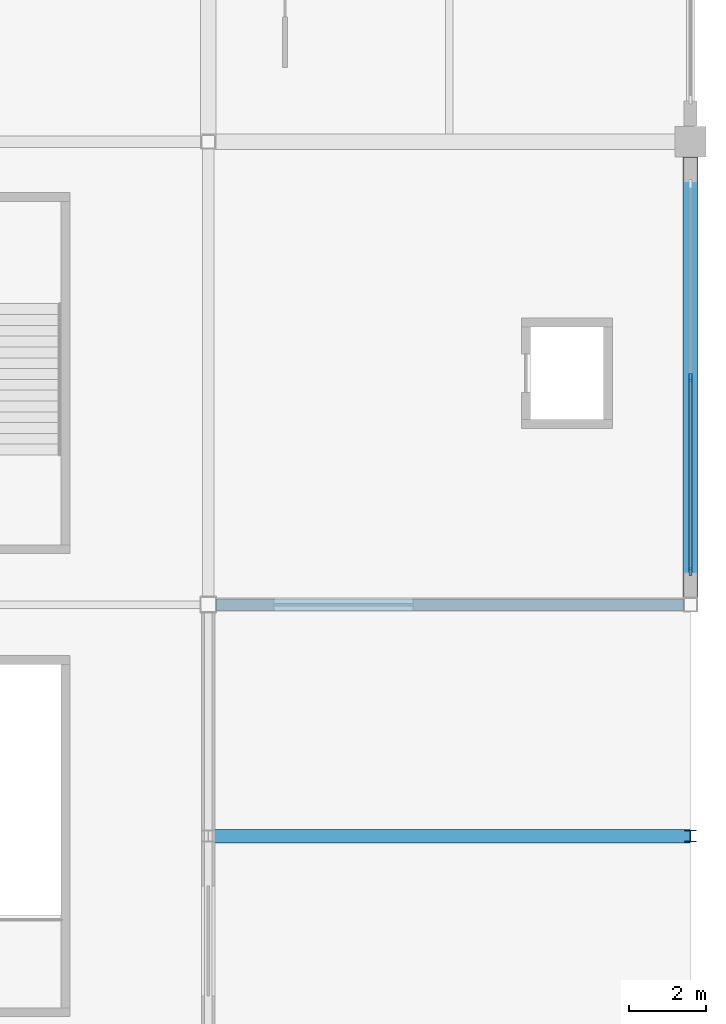
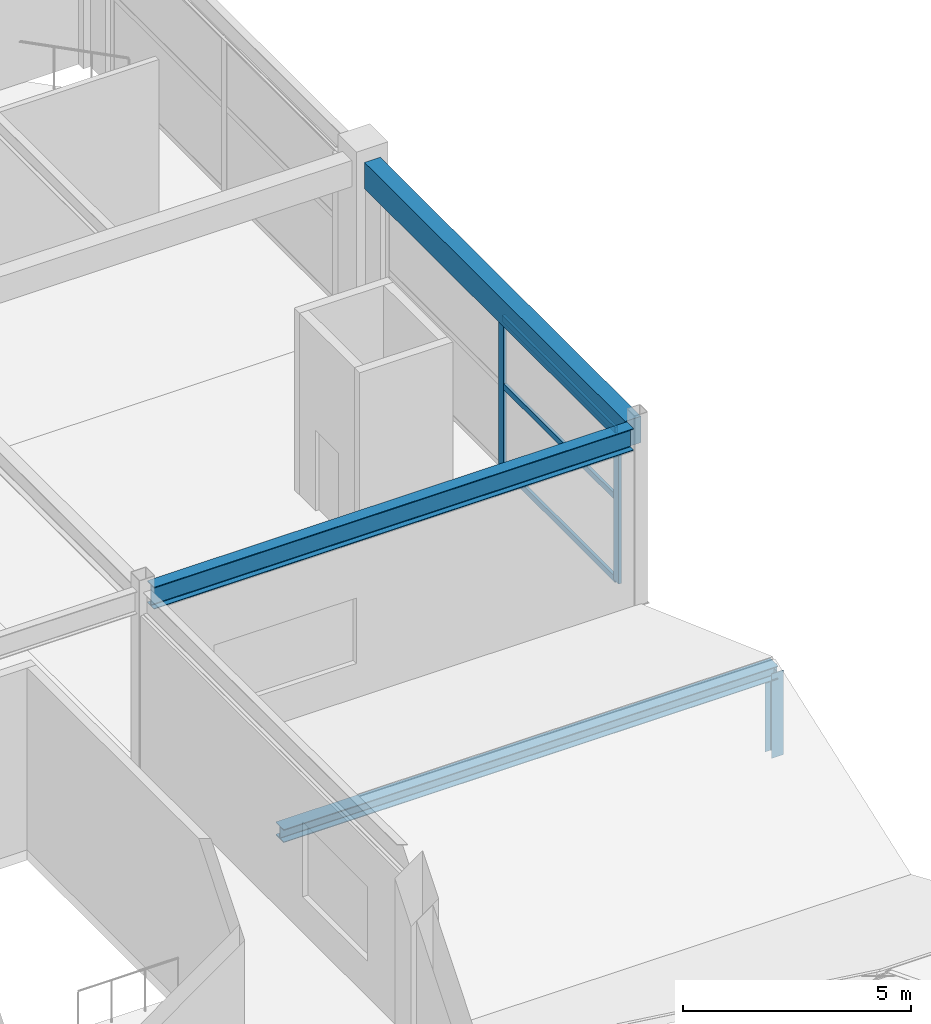
# One storey, part 61 of 128: 7 members, 2 beams, 1 element without a shape of its own.
"""IFC4 building model written with IfcOpenShell, lengths in metres."""

from ifc_helpers import new_model, si_unit, direction, frame, origin, origin_2d, place, context, subcontext, project, spatial, rectangle, i_section, extrude, material, layer, layer_set, material_profile, profile_set, type_object, element, aggregate, save


model = new_model("IFC4")

# Units and contexts
model_context = context("Model", 3, precision=1e-05, world=origin(), true_north=direction((0.0, 1.0)))
body_context = subcontext(model_context, "Body", "Model", "MODEL_VIEW")
ifc_project = project(units=[si_unit("LENGTHUNIT", "METRE"), si_unit("AREAUNIT", "SQUARE_METRE"), si_unit("VOLUMEUNIT", "CUBIC_METRE"), si_unit("PLANEANGLEUNIT", "RADIAN"), si_unit("MASSUNIT", "GRAM", prefix="KILO")], contexts=[model_context])

# Site, building, storey
site_placement = place(None, origin())
site = spatial("IfcSite", under=ifc_project, at=site_placement, CompositionType="ELEMENT")
building_placement = place(site_placement, origin())
building = spatial("IfcBuilding", under=site, at=building_placement, Name="Kazenohara Klinker Stadium", CompositionType="ELEMENT")
storey_placement = place(building_placement, frame((0.0, 0.0, 15.300048828125)))
storey = spatial("IfcBuildingStorey", under=building, at=storey_placement, Name="L03", CompositionType="ELEMENT", Elevation=15.300048828125)

# Beams
ifc_material_1 = material(Name="Concrete C40/50", Category="concrete")
ifc_material_profile_1 = material_profile(ifc_material_1, rectangle(XDim=0.39990234375, YDim=0.699951171875, at=origin_2d()), Name="RC-BM-400x700")
ifc_profile_set_1 = profile_set([ifc_material_profile_1], Name="Concrete C40/50")
beam_type_1 = type_object("IfcBeamType", Name="BM-RC04", PredefinedType="BEAM", material=ifc_profile_set_1)
beam_1_placement = place(storey_placement, frame((200.0, 132.175048828125, 4.409912109375), z_axis=(0.0, 1.0, 0.0), x_axis=(-1.0, 0.0, 0.0)))
element("IfcBeam", 1, at=beam_1_placement, inside=storey, type_object=beam_type_1, Name="Primary girder BG04 L03 17/M-N", PredefinedType="BEAM", context=body_context, shape_type="SweptSolid", body=[
    extrude(rectangle(XDim=0.39990234375, YDim=0.699951171875, at=origin_2d()), origin(), (0.0, 0.0, 1.0), 11.425048828125),
])
ifc_material_2 = material(Name="Steel S355", Category="steel")
ifc_material_profile_2 = material_profile(ifc_material_2, i_section(OverallWidth=0.300048828125, OverallDepth=0.587890625, WebThickness=0.011962890625, FlangeThickness=0.02001953125, FilletRadius=0.02197265625, at=origin_2d()), Name="H-588x300x12x20")
ifc_profile_set_2 = profile_set([ifc_material_profile_2], Name="Steel S355")
beam_type_2 = type_object("IfcBeamType", Name="BM-ST05", PredefinedType="BEAM", material=ifc_profile_set_2)
beam_2_placement = place(storey_placement, frame((187.699951171875, 132.0, 4.466064453125), z_axis=(1.0, 0.0, 0.0), x_axis=(0.0, 1.0, 0.0)))
element("IfcBeam", 2, at=beam_2_placement, inside=storey, type_object=beam_type_2, Name="Primary girder SB05 L03 16-17/M", PredefinedType="BEAM", context=body_context, shape_type="SweptSolid", body=[
    extrude(i_section(OverallWidth=0.300048828125, OverallDepth=0.587890625, WebThickness=0.011962890625, FlangeThickness=0.02001953125, FilletRadius=0.02197265625, at=origin_2d()), origin(), (0.0, 0.0, 1.0), 12.125),
])

# Curtain wall, members
ifc_material_3 = material(Name="Anodised aluminium and triple glazing", Category="aluminium")
ifc_layer = layer(ifc_material_3, 0.169921875)
ifc_layer_set = layer_set([ifc_layer], Name="Anodised aluminium and triple glazing")
curtain_wall_type = type_object("IfcCurtainWallType", Name="CW-SYS-04", PredefinedType="USERDEFINED", material=ifc_layer_set)
curtain_wall_placement = place(storey_placement, origin())
curtain_wall = element("IfcCurtainWall", 3, at=curtain_wall_placement, inside=storey, type_object=curtain_wall_type, Name="Unitised facade curtain wall CW04 L03 Y16-11", ObjectType="UNITISED CURTAIN WALL", PredefinedType="USERDEFINED")
ifc_material_4 = material(Name="Anodised aluminium 6063-T6", Category="aluminium")
ifc_material_profile_3 = material_profile(ifc_material_4, rectangle(XDim=0.074951171875, YDim=0.219970703125, at=origin_2d()), Name="ALU-MUL-75x220")
ifc_profile_set_3 = profile_set([ifc_material_profile_3], Name="Anodised aluminium 6063-T6")
member_type_1 = type_object("IfcMemberType", Name="CW-MUL-220", PredefinedType="MULLION", material=ifc_profile_set_3)
member_1_placement = place(storey_placement, frame((200.0, 132.866455078125, 0.0), z_axis=(0.0, 0.0, 1.0), x_axis=(-1.0, 0.0, 0.0)))
member_1 = element("IfcMember", 4, at=member_1_placement, type_object=member_type_1, Name="CW04 mullion 1", PredefinedType="MULLION", context=body_context, shape_type="SweptSolid", body=[
    extrude(rectangle(XDim=0.074951171875, YDim=0.219970703125, at=origin_2d()), origin(), (0.0, 0.0, 1.0), 4.06005859375),
])
member_2_placement = place(storey_placement, frame((200.0, 137.887451171875, 0.0), z_axis=(0.0, 0.0, 1.0), x_axis=(-1.0, 0.0, 0.0)))
member_2 = element("IfcMember", 5, at=member_2_placement, type_object=member_type_1, Name="CW04 mullion 2", PredefinedType="MULLION", context=body_context, shape_type="SweptSolid", body=[
    extrude(rectangle(XDim=0.074951171875, YDim=0.219970703125, at=origin_2d()), origin(), (0.0, 0.0, 1.0), 4.06005859375),
])
ifc_material_profile_4 = material_profile(ifc_material_4, rectangle(XDim=0.074951171875, YDim=0.159912109375, at=origin_2d()), Name="ALU-TRN-75x160")
ifc_profile_set_4 = profile_set([ifc_material_profile_4], Name="Anodised aluminium 6063-T6")
member_type_2 = type_object("IfcMemberType", Name="CW-TRN-160", PredefinedType="USERDEFINED", material=ifc_profile_set_4)
member_3_placement = place(storey_placement, frame((200.0, 132.904052734375, 0.037353515625), z_axis=(0.0, 1.0, 0.0), x_axis=(-1.0, 0.0, 0.0)))
member_3 = element("IfcMember", 6, at=member_3_placement, type_object=member_type_2, Name="CW04 transom 1.1", ObjectType="TRANSOM", PredefinedType="USERDEFINED", context=body_context, shape_type="SweptSolid", body=[
    extrude(rectangle(XDim=0.074951171875, YDim=0.159912109375, at=origin_2d()), origin(), (0.0, 0.0, 1.0), 4.946044921875),
])
member_4_placement = place(storey_placement, frame((200.0, 132.904052734375, 2.23291015625), z_axis=(0.0, 1.0, 0.0), x_axis=(-1.0, 0.0, 0.0)))
member_4 = element("IfcMember", 7, at=member_4_placement, type_object=member_type_2, Name="CW04 transom 1.2", ObjectType="TRANSOM", PredefinedType="USERDEFINED", context=body_context, shape_type="SweptSolid", body=[
    extrude(rectangle(XDim=0.074951171875, YDim=0.159912109375, at=origin_2d()), origin(), (0.0, 0.0, 1.0), 4.946044921875),
])
member_5_placement = place(storey_placement, frame((200.0, 132.904052734375, 4.0224609375), z_axis=(0.0, 1.0, 0.0), x_axis=(-1.0, 0.0, 0.0)))
member_5 = element("IfcMember", 8, at=member_5_placement, type_object=member_type_2, Name="CW04 transom 1.3", ObjectType="TRANSOM", PredefinedType="USERDEFINED", context=body_context, shape_type="SweptSolid", body=[
    extrude(rectangle(XDim=0.074951171875, YDim=0.159912109375, at=origin_2d()), origin(), (0.0, 0.0, 1.0), 4.946044921875),
])
aggregate(curtain_wall, [member_1, member_2, member_3, member_4, member_5])

# Members
ifc_material_profile_5 = material_profile(ifc_material_2, i_section(OverallWidth=0.35009765625, OverallDepth=0.35009765625, WebThickness=0.011962890625, FlangeThickness=0.01904296875, FilletRadius=0.012939453125, at=origin_2d()), Name="H-350x350x12x19")
ifc_profile_set_5 = profile_set([ifc_material_profile_5], Name="Steel S355")
member_type_3 = type_object("IfcMemberType", Name="MEM-CHD02", PredefinedType="CHORD", material=ifc_profile_set_5)
member_6_placement = place(storey_placement, frame((187.5, 126.0, 1.829833984375), z_axis=(1.0, 0.0, 0.0), x_axis=(0.0, 1.0, 0.0)))
element("IfcMember", 9, at=member_6_placement, inside=storey, type_object=member_type_3, Name="Stepped pavilion gable ridge beam L03 16/L", PredefinedType="CHORD", context=body_context, shape_type="SweptSolid", body=[
    extrude(i_section(OverallWidth=0.35009765625, OverallDepth=0.35009765625, WebThickness=0.011962890625, FlangeThickness=0.01904296875, FilletRadius=0.012939453125, at=origin_2d()), origin(), (0.0, 0.0, 1.0), 12.5),
])
ifc_material_profile_6 = material_profile(ifc_material_2, i_section(OverallWidth=0.300048828125, OverallDepth=0.300048828125, WebThickness=0.010009765625, FlangeThickness=0.014892578125, FilletRadius=0.012939453125, at=origin_2d()), Name="H-300x300x10x15")
ifc_profile_set_6 = profile_set([ifc_material_profile_6], Name="Steel S355")
member_type_4 = type_object("IfcMemberType", Name="MEM-STR01", PredefinedType="STRUT", material=ifc_profile_set_6)
member_7_placement = place(storey_placement, frame((200.0, 126.0, -0.429931640625), z_axis=(0.0, 0.0, 1.0), x_axis=(1.0, 0.0, 0.0)))
element("IfcMember", 10, at=member_7_placement, inside=storey, type_object=member_type_4, Name="Stepped pavilion gable king-post L03 16/L E", PredefinedType="STRUT", context=body_context, shape_type="SweptSolid", body=[
    extrude(i_section(OverallWidth=0.300048828125, OverallDepth=0.300048828125, WebThickness=0.010009765625, FlangeThickness=0.014892578125, FilletRadius=0.012939453125, at=origin_2d()), origin(), (0.0, 0.0, 1.0), 2.259765625),
])

save(model, "model.ifc")
